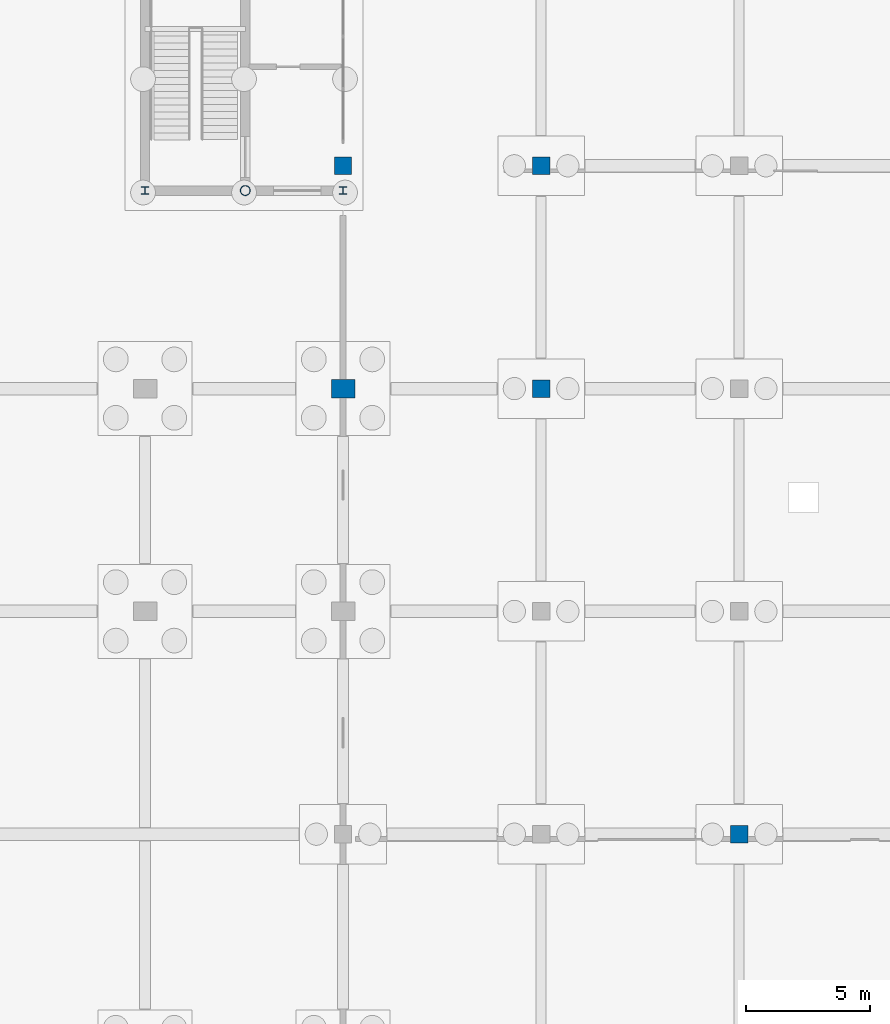
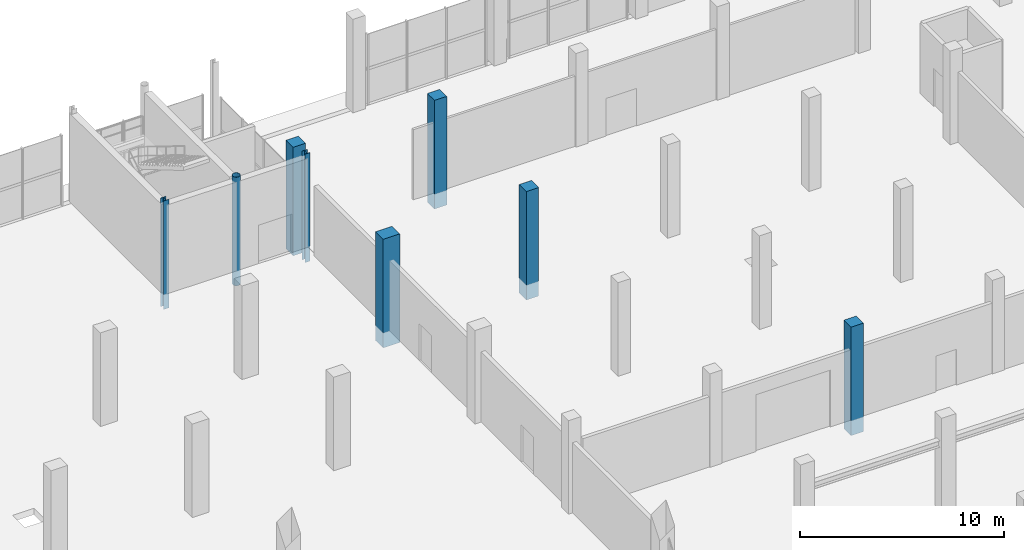
# One storey, part 29 of 98: 8 columns.
"""IFC4 building model written with IfcOpenShell, lengths in metres."""

from ifc_helpers import new_model, si_unit, derived_unit, direction, frame, origin, origin_2d, place, context, subcontext, project, spatial, rectangle, hollow_circle, i_section, extrude, material, material_profile, profile_set, type_object, element, save


model = new_model("IFC4")

# Units and contexts
model_context = context("Model", 3, precision=1e-05, world=origin(), true_north=direction((0.0, 1.0)))
body_context = subcontext(model_context, "Body", "Model", "MODEL_VIEW")
ifc_project = project(units=[si_unit("LENGTHUNIT", "METRE"), si_unit("AREAUNIT", "SQUARE_METRE"), si_unit("VOLUMEUNIT", "CUBIC_METRE"), si_unit("PLANEANGLEUNIT", "RADIAN"), si_unit("MASSUNIT", "GRAM", prefix="KILO"), si_unit("THERMODYNAMICTEMPERATUREUNIT", "KELVIN"), derived_unit("THERMALTRANSMITTANCEUNIT", [(si_unit("POWERUNIT", "WATT"), 1), (si_unit("AREAUNIT", "SQUARE_METRE"), -1), (si_unit("THERMODYNAMICTEMPERATUREUNIT", "KELVIN"), -1)])], contexts=[model_context])

# Site, building, storey
site_placement = place(None, origin())
site = spatial("IfcSite", under=ifc_project, at=site_placement, CompositionType="ELEMENT")
building_placement = place(site_placement, origin())
building = spatial("IfcBuilding", under=site, at=building_placement, Name="Haiyu Intermodal Mobility Hub", CompositionType="ELEMENT")
storey_placement = place(building_placement, origin())
storey = spatial("IfcBuildingStorey", under=building, at=storey_placement, Name="L00", CompositionType="ELEMENT", Elevation=0.0)

# Columns
ifc_material_1 = material(Name="Concrete C40", Category="concrete")
ifc_material_profile_1 = material_profile(ifc_material_1, rectangle(XDim=0.699951171875, YDim=0.699951171875, at=origin_2d()), Name="RC700x700")
ifc_profile_set_1 = profile_set([ifc_material_profile_1], Name="Concrete C40")
column_type_1 = type_object("IfcColumnType", Name="COL-CC08", PredefinedType="COLUMN", material=ifc_profile_set_1)
for number, where, z_axis, x_axis, name in (
    (1, (170.0, 131.0, -0.89990234375), (0.0, 0.0, 1.0), (1.0, 0.0, 0.0), "Column V6-19Q L00"),
    (2, (170.0, 140.0, -0.89990234375), (0.0, 0.0, 1.0), (1.0, 0.0, 0.0), "Column V6-19R L00"),
    (3, (178.0, 113.0, -0.89990234375), (0.0, 0.0, 1.0), (1.0, 0.0, 0.0), "Column V6-20N L00"),
):
    element("IfcColumn", number, at=place(storey_placement, frame(where, z_axis=z_axis, x_axis=x_axis)), inside=storey, type_object=column_type_1, Name=name, PredefinedType="COLUMN", context=body_context, shape_type="SweptSolid", body=[
        extrude(rectangle(XDim=0.699951171875, YDim=0.699951171875, at=origin_2d()), origin(), (0.0, 0.0, 1.0), 6.5),
    ])
ifc_material_profile_2 = material_profile(ifc_material_1, rectangle(XDim=0.699951171875, YDim=0.699951171875, at=origin_2d()), Name="RC700x700")
ifc_profile_set_2 = profile_set([ifc_material_profile_2], Name="Concrete C40")
column_type_2 = type_object("IfcColumnType", Name="COL-CC08-EXT", PredefinedType="COLUMN", material=ifc_profile_set_2)
column_1_placement = place(storey_placement, frame((162.0, 140.0, -0.89990234375), z_axis=(0.0, 0.0, 1.0), x_axis=(1.0, 0.0, 0.0)))
element("IfcColumn", 4, at=column_1_placement, inside=storey, type_object=column_type_2, Name="Column V6-18R L00", PredefinedType="COLUMN", context=body_context, shape_type="SweptSolid", body=[
    extrude(rectangle(XDim=0.699951171875, YDim=0.699951171875, at=origin_2d()), origin(), (0.0, 0.0, 1.0), 6.5),
])
ifc_material_2 = material(Name="Precast concrete C40", Category="concrete")
ifc_material_profile_3 = material_profile(ifc_material_2, rectangle(XDim=0.949951171875, YDim=0.75, at=origin_2d()), Name="C950x750")
ifc_profile_set_3 = profile_set([ifc_material_profile_3], Name="Precast concrete C40")
column_type_3 = type_object("IfcColumnType", Name="COL-CC19-EXT", PredefinedType="COLUMN", material=ifc_profile_set_3)
column_2_placement = place(storey_placement, frame((162.0, 131.0, -0.89990234375), z_axis=(0.0, 0.0, 1.0), x_axis=(1.0, 0.0, 0.0)))
element("IfcColumn", 5, at=column_2_placement, inside=storey, type_object=column_type_3, Name="Column V4-18Q L00", PredefinedType="COLUMN", context=body_context, shape_type="SweptSolid", body=[
    extrude(rectangle(XDim=0.949951171875, YDim=0.75, at=origin_2d()), origin(), (0.0, 0.0, 1.0), 6.5),
])
ifc_material_3 = material(Name="Steel Q355C", Category="steel")
ifc_material_profile_4 = material_profile(ifc_material_3, hollow_circle(Radius=0.202880859375, WallThickness=0.013916015625, at=origin_2d()), Name="CHS406x14")
ifc_profile_set_4 = profile_set([ifc_material_profile_4], Name="Steel Q355C")
column_type_4 = type_object("IfcColumnType", Name="COL-SC03", PredefinedType="COLUMN", material=ifc_profile_set_4)
column_3_placement = place(storey_placement, frame((158.050048828125, 139.0, -0.89990234375), z_axis=(0.0, 0.0, 1.0), x_axis=(1.0, 0.0, 0.0)))
element("IfcColumn", 6, at=column_3_placement, inside=storey, type_object=column_type_4, Name="Column C4-MS L00", PredefinedType="COLUMN", context=body_context, shape_type="SweptSolid", body=[
    extrude(hollow_circle(Radius=0.202880859375, WallThickness=0.013916015625, at=origin_2d()), origin(), (0.0, 0.0, 1.0), 6.5),
])
ifc_material_profile_5 = material_profile(ifc_material_3, i_section(OverallWidth=0.300048828125, OverallDepth=0.300048828125, WebThickness=0.010009765625, FlangeThickness=0.014892578125, FilletRadius=0.01806640625, at=origin_2d()), Name="HW300x300x10x15")
ifc_profile_set_5 = profile_set([ifc_material_profile_5], Name="Steel Q355C")
column_type_5 = type_object("IfcColumnType", Name="COL-SC07", PredefinedType="COLUMN", material=ifc_profile_set_5)
column_4_placement = place(storey_placement, frame((154.0, 139.0, -0.89990234375), z_axis=(0.0, 0.0, 1.0), x_axis=(1.0, 0.0, 0.0)))
element("IfcColumn", 7, at=column_4_placement, inside=storey, type_object=column_type_5, Name="Column C4-SW L00", PredefinedType="COLUMN", context=body_context, shape_type="SweptSolid", body=[
    extrude(i_section(OverallWidth=0.300048828125, OverallDepth=0.300048828125, WebThickness=0.010009765625, FlangeThickness=0.014892578125, FilletRadius=0.01806640625, at=origin_2d()), origin(), (0.0, 0.0, 1.0), 6.5),
])
ifc_material_profile_6 = material_profile(ifc_material_3, i_section(OverallWidth=0.300048828125, OverallDepth=0.300048828125, WebThickness=0.010009765625, FlangeThickness=0.014892578125, FilletRadius=0.01806640625, at=origin_2d()), Name="HW300x300x10x15")
ifc_profile_set_6 = profile_set([ifc_material_profile_6], Name="Steel Q355C")
column_type_6 = type_object("IfcColumnType", Name="COL-SC07-EXT", PredefinedType="COLUMN", material=ifc_profile_set_6)
column_5_placement = place(storey_placement, frame((162.0, 139.0, -0.89990234375), z_axis=(0.0, 0.0, 1.0), x_axis=(1.0, 0.0, 0.0)))
element("IfcColumn", 8, at=column_5_placement, inside=storey, type_object=column_type_6, Name="Column C4-SE L00", PredefinedType="COLUMN", context=body_context, shape_type="SweptSolid", body=[
    extrude(i_section(OverallWidth=0.300048828125, OverallDepth=0.300048828125, WebThickness=0.010009765625, FlangeThickness=0.014892578125, FilletRadius=0.01806640625, at=origin_2d()), origin(), (0.0, 0.0, 1.0), 6.5),
])

save(model, "model.ifc")
